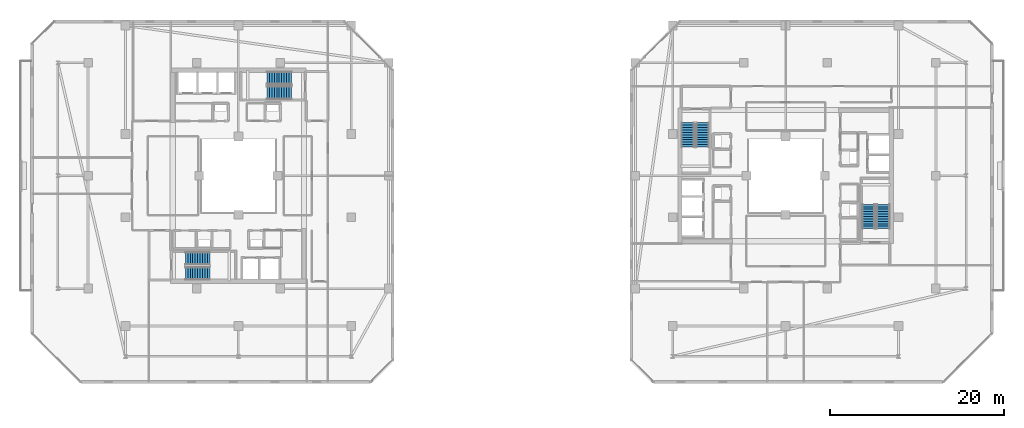
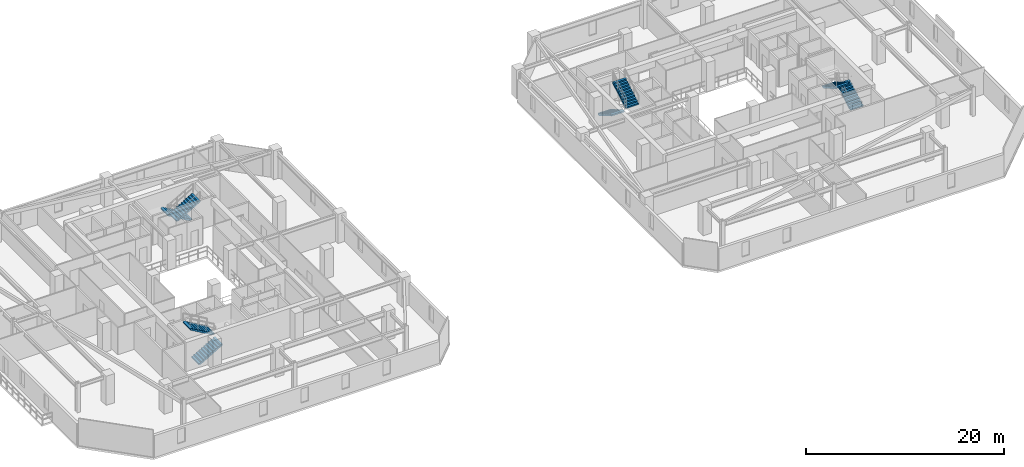
# One storey, part 25 of 31: 8 stair flights, 4 elements without a shape of their own.
"""IFC4 building model written with IfcOpenShell, lengths in metres."""

from ifc_helpers import new_model, si_unit, direction, frame, origin, place, context, subcontext, project, spatial, polyline, outline, extrude, material, type_object, element, aggregate, save


model = new_model("IFC4")

# Units and contexts
model_context = context("Model", 3, precision=1e-05, world=origin(), true_north=direction((0.0, 1.0)))
body_context = subcontext(model_context, "Body", "Model", "MODEL_VIEW")
ifc_project = project(units=[si_unit("LENGTHUNIT", "METRE"), si_unit("AREAUNIT", "SQUARE_METRE"), si_unit("VOLUMEUNIT", "CUBIC_METRE"), si_unit("PLANEANGLEUNIT", "RADIAN"), si_unit("MASSUNIT", "GRAM", prefix="KILO")], contexts=[model_context])

# Site, building, storey
site_placement = place(None, origin())
site = spatial("IfcSite", under=ifc_project, at=site_placement, CompositionType="ELEMENT")
building_placement = place(site_placement, origin())
building = spatial("IfcBuilding", under=site, at=building_placement, Name="Thornwick Lancets Civic Towers", CompositionType="ELEMENT")
storey_placement = place(building_placement, frame((0.0, 0.0, 236.699951171875)))
storey = spatial("IfcBuildingStorey", under=building, at=storey_placement, Name="L63", CompositionType="ELEMENT", Elevation=236.699951171875)

# Stair, stair flights
ifc_material = material(Name="Concrete C40/50", Category="concrete")
stair_type = type_object("IfcStairType", Name="STAIR_DL_3600", PredefinedType="HALF_TURN_STAIR", material=ifc_material)
stair_1_placement = place(storey_placement, origin())
stair_1 = element("IfcStair", 1, at=stair_1_placement, inside=storey, type_object=stair_type, Name="L63 Tower A South Exit Stair ST-A1", PredefinedType="HALF_TURN_STAIR")
stair_flight_type = type_object("IfcStairFlightType", Name="FLIGHT_3600", PredefinedType="STRAIGHT", material=ifc_material)
stair_flight_1_placement = place(storey_placement, frame((19.39990234375, 15.75, 0.0), z_axis=(0.0, 0.0, 1.0), x_axis=(1.0, 0.0, 0.0)))
stair_flight_1 = element("IfcStairFlight", 2, at=stair_flight_1_placement, type_object=stair_flight_type, Name="ST-A1 flight 1", NumberOfRisers=11, NumberOfTreads=10, PredefinedType="STRAIGHT", RiserHeight=0.163636364, TreadLength=0.28, context=body_context, shape_type="SweptSolid", body=[
    extrude(outline(polyline([(0.0, 0.0), (0.0, 0.16357421875), (0.280029296875, 0.16357421875), (0.280029296875, 0.327392578125), (0.56005859375, 0.327392578125), (0.56005859375, 0.490966796875), (0.840087890625, 0.490966796875), (0.840087890625, 0.654541015625), (1.1201171875, 0.654541015625), (1.1201171875, 0.818115234375), (1.39990234375, 0.818115234375), (1.39990234375, 0.98193359375), (1.679931640625, 0.98193359375), (1.679931640625, 1.1455078125), (1.9599609375, 1.1455078125), (1.9599609375, 1.30908203125), (2.239990234375, 1.30908203125), (2.239990234375, 1.47265625), (2.52001953125, 1.47265625), (2.52001953125, 1.636474609375), (2.800048828125, 1.636474609375), (2.800048828125, 1.800048828125), (2.800048828125, 1.462646484375), (0.297119140625, 0.0), (0.0, 0.0)])), frame((0.0, 0.75, 0.0), z_axis=(0.0, -1.0, 0.0), x_axis=(1.0, 0.0, 0.0)), (0.0, 0.0, 1.0), 1.5),
])
stair_flight_2_placement = place(storey_placement, frame((22.199951171875, 17.449951171875, 1.800048828125), z_axis=(0.0, 0.0, 1.0), x_axis=(-1.0, 0.0, 0.0)))
stair_flight_2 = element("IfcStairFlight", 3, at=stair_flight_2_placement, type_object=stair_flight_type, Name="ST-A1 flight 2", NumberOfRisers=11, NumberOfTreads=10, PredefinedType="STRAIGHT", RiserHeight=0.163636364, TreadLength=0.28, context=body_context, shape_type="SweptSolid", body=[
    extrude(outline(polyline([(0.0, 0.0), (0.0, 0.16357421875), (0.280029296875, 0.16357421875), (0.280029296875, 0.327392578125), (0.56005859375, 0.327392578125), (0.56005859375, 0.490966796875), (0.840087890625, 0.490966796875), (0.840087890625, 0.654541015625), (1.1201171875, 0.654541015625), (1.1201171875, 0.818115234375), (1.39990234375, 0.818115234375), (1.39990234375, 0.98193359375), (1.679931640625, 0.98193359375), (1.679931640625, 1.1455078125), (1.9599609375, 1.1455078125), (1.9599609375, 1.30908203125), (2.239990234375, 1.30908203125), (2.239990234375, 1.47265625), (2.52001953125, 1.47265625), (2.52001953125, 1.636474609375), (2.800048828125, 1.636474609375), (2.800048828125, 1.800048828125), (2.800048828125, 1.462646484375), (0.297119140625, 0.0), (0.0, 0.0)])), frame((0.0, 0.75, 0.0), z_axis=(0.0, -1.0, 0.0), x_axis=(1.0, 0.0, 0.0)), (0.0, 0.0, 1.0), 1.5),
])
aggregate(stair_1, [stair_flight_1, stair_flight_2])

stair_2_placement = place(storey_placement, origin())
stair_2 = element("IfcStair", 4, at=stair_2_placement, inside=storey, type_object=stair_type, Name="L63 Tower A North Exit Stair ST-A2", PredefinedType="HALF_TURN_STAIR")
stair_flight_3_placement = place(storey_placement, frame((31.60009765625, 38.25, 0.0), z_axis=(0.0, 0.0, 1.0), x_axis=(-1.0, 0.0, 0.0)))
stair_flight_3 = element("IfcStairFlight", 5, at=stair_flight_3_placement, type_object=stair_flight_type, Name="ST-A2 flight 1", NumberOfRisers=11, NumberOfTreads=10, PredefinedType="STRAIGHT", RiserHeight=0.163636364, TreadLength=0.28, context=body_context, shape_type="SweptSolid", body=[
    extrude(outline(polyline([(0.0, 0.0), (0.0, 0.16357421875), (0.280029296875, 0.16357421875), (0.280029296875, 0.327392578125), (0.56005859375, 0.327392578125), (0.56005859375, 0.490966796875), (0.840087890625, 0.490966796875), (0.840087890625, 0.654541015625), (1.1201171875, 0.654541015625), (1.1201171875, 0.818115234375), (1.39990234375, 0.818115234375), (1.39990234375, 0.98193359375), (1.679931640625, 0.98193359375), (1.679931640625, 1.1455078125), (1.9599609375, 1.1455078125), (1.9599609375, 1.30908203125), (2.239990234375, 1.30908203125), (2.239990234375, 1.47265625), (2.52001953125, 1.47265625), (2.52001953125, 1.636474609375), (2.800048828125, 1.636474609375), (2.800048828125, 1.800048828125), (2.800048828125, 1.462646484375), (0.297119140625, 0.0), (0.0, 0.0)])), frame((0.0, 0.75, 0.0), z_axis=(0.0, -1.0, 0.0), x_axis=(1.0, 0.0, 0.0)), (0.0, 0.0, 1.0), 1.5),
])
stair_flight_4_placement = place(storey_placement, frame((28.800048828125, 36.550048828125, 1.800048828125), z_axis=(0.0, 0.0, 1.0), x_axis=(1.0, 0.0, 0.0)))
stair_flight_4 = element("IfcStairFlight", 6, at=stair_flight_4_placement, type_object=stair_flight_type, Name="ST-A2 flight 2", NumberOfRisers=11, NumberOfTreads=10, PredefinedType="STRAIGHT", RiserHeight=0.163636364, TreadLength=0.28, context=body_context, shape_type="SweptSolid", body=[
    extrude(outline(polyline([(0.0, 0.0), (0.0, 0.16357421875), (0.280029296875, 0.16357421875), (0.280029296875, 0.327392578125), (0.56005859375, 0.327392578125), (0.56005859375, 0.490966796875), (0.840087890625, 0.490966796875), (0.840087890625, 0.654541015625), (1.1201171875, 0.654541015625), (1.1201171875, 0.818115234375), (1.39990234375, 0.818115234375), (1.39990234375, 0.98193359375), (1.679931640625, 0.98193359375), (1.679931640625, 1.1455078125), (1.9599609375, 1.1455078125), (1.9599609375, 1.30908203125), (2.239990234375, 1.30908203125), (2.239990234375, 1.47265625), (2.52001953125, 1.47265625), (2.52001953125, 1.636474609375), (2.800048828125, 1.636474609375), (2.800048828125, 1.800048828125), (2.800048828125, 1.462646484375), (0.297119140625, 0.0), (0.0, 0.0)])), frame((0.0, 0.75, 0.0), z_axis=(0.0, -1.0, 0.0), x_axis=(1.0, 0.0, 0.0)), (0.0, 0.0, 1.0), 1.5),
])
aggregate(stair_2, [stair_flight_3, stair_flight_4])

stair_3_placement = place(storey_placement, origin())
stair_3 = element("IfcStair", 7, at=stair_3_placement, inside=storey, type_object=stair_type, Name="L63 Tower B East Exit Stair ST-B1", PredefinedType="HALF_TURN_STAIR")
stair_flight_5_placement = place(storey_placement, frame((99.75, 20.89990234375, 0.0), z_axis=(0.0, 0.0, 1.0), x_axis=(0.0, 1.0, 0.0)))
stair_flight_5 = element("IfcStairFlight", 8, at=stair_flight_5_placement, type_object=stair_flight_type, Name="ST-B1 flight 1", NumberOfRisers=11, NumberOfTreads=10, PredefinedType="STRAIGHT", RiserHeight=0.163636364, TreadLength=0.28, context=body_context, shape_type="SweptSolid", body=[
    extrude(outline(polyline([(0.0, 0.0), (0.0, 0.16357421875), (0.280029296875, 0.16357421875), (0.280029296875, 0.327392578125), (0.56005859375, 0.327392578125), (0.56005859375, 0.490966796875), (0.840087890625, 0.490966796875), (0.840087890625, 0.654541015625), (1.1201171875, 0.654541015625), (1.1201171875, 0.818115234375), (1.39990234375, 0.818115234375), (1.39990234375, 0.98193359375), (1.679931640625, 0.98193359375), (1.679931640625, 1.1455078125), (1.9599609375, 1.1455078125), (1.9599609375, 1.30908203125), (2.239990234375, 1.30908203125), (2.239990234375, 1.47265625), (2.52001953125, 1.47265625), (2.52001953125, 1.636474609375), (2.800048828125, 1.636474609375), (2.800048828125, 1.800048828125), (2.800048828125, 1.462646484375), (0.297119140625, 0.0), (0.0, 0.0)])), frame((0.0, 0.75, 0.0), z_axis=(0.0, -1.0, 0.0), x_axis=(1.0, 0.0, 0.0)), (0.0, 0.0, 1.0), 1.5),
])
stair_flight_6_placement = place(storey_placement, frame((98.050048828125, 23.699951171875, 1.800048828125), z_axis=(0.0, 0.0, 1.0), x_axis=(0.0, -1.0, 0.0)))
stair_flight_6 = element("IfcStairFlight", 9, at=stair_flight_6_placement, type_object=stair_flight_type, Name="ST-B1 flight 2", NumberOfRisers=11, NumberOfTreads=10, PredefinedType="STRAIGHT", RiserHeight=0.163636364, TreadLength=0.28, context=body_context, shape_type="SweptSolid", body=[
    extrude(outline(polyline([(0.0, 0.0), (0.0, 0.16357421875), (0.280029296875, 0.16357421875), (0.280029296875, 0.327392578125), (0.56005859375, 0.327392578125), (0.56005859375, 0.490966796875), (0.840087890625, 0.490966796875), (0.840087890625, 0.654541015625), (1.1201171875, 0.654541015625), (1.1201171875, 0.818115234375), (1.39990234375, 0.818115234375), (1.39990234375, 0.98193359375), (1.679931640625, 0.98193359375), (1.679931640625, 1.1455078125), (1.9599609375, 1.1455078125), (1.9599609375, 1.30908203125), (2.239990234375, 1.30908203125), (2.239990234375, 1.47265625), (2.52001953125, 1.47265625), (2.52001953125, 1.636474609375), (2.800048828125, 1.636474609375), (2.800048828125, 1.800048828125), (2.800048828125, 1.462646484375), (0.297119140625, 0.0), (0.0, 0.0)])), frame((0.0, 0.75, 0.0), z_axis=(0.0, -1.0, 0.0), x_axis=(1.0, 0.0, 0.0)), (0.0, 0.0, 1.0), 1.5),
])
aggregate(stair_3, [stair_flight_5, stair_flight_6])

stair_4_placement = place(storey_placement, origin())
stair_4 = element("IfcStair", 10, at=stair_4_placement, inside=storey, type_object=stair_type, Name="L63 Tower B West Exit Stair ST-B2", PredefinedType="HALF_TURN_STAIR")
stair_flight_7_placement = place(storey_placement, frame((77.25, 33.10009765625, 0.0), z_axis=(0.0, 0.0, 1.0), x_axis=(0.0, -1.0, 0.0)))
stair_flight_7 = element("IfcStairFlight", 11, at=stair_flight_7_placement, type_object=stair_flight_type, Name="ST-B2 flight 1", NumberOfRisers=11, NumberOfTreads=10, PredefinedType="STRAIGHT", RiserHeight=0.163636364, TreadLength=0.28, context=body_context, shape_type="SweptSolid", body=[
    extrude(outline(polyline([(0.0, 0.0), (0.0, 0.16357421875), (0.280029296875, 0.16357421875), (0.280029296875, 0.327392578125), (0.56005859375, 0.327392578125), (0.56005859375, 0.490966796875), (0.840087890625, 0.490966796875), (0.840087890625, 0.654541015625), (1.1201171875, 0.654541015625), (1.1201171875, 0.818115234375), (1.39990234375, 0.818115234375), (1.39990234375, 0.98193359375), (1.679931640625, 0.98193359375), (1.679931640625, 1.1455078125), (1.9599609375, 1.1455078125), (1.9599609375, 1.30908203125), (2.239990234375, 1.30908203125), (2.239990234375, 1.47265625), (2.52001953125, 1.47265625), (2.52001953125, 1.636474609375), (2.800048828125, 1.636474609375), (2.800048828125, 1.800048828125), (2.800048828125, 1.462646484375), (0.297119140625, 0.0), (0.0, 0.0)])), frame((0.0, 0.75, 0.0), z_axis=(0.0, -1.0, 0.0), x_axis=(1.0, 0.0, 0.0)), (0.0, 0.0, 1.0), 1.5),
])
stair_flight_8_placement = place(storey_placement, frame((78.949951171875, 30.300048828125, 1.800048828125), z_axis=(0.0, 0.0, 1.0), x_axis=(0.0, 1.0, 0.0)))
stair_flight_8 = element("IfcStairFlight", 12, at=stair_flight_8_placement, type_object=stair_flight_type, Name="ST-B2 flight 2", NumberOfRisers=11, NumberOfTreads=10, PredefinedType="STRAIGHT", RiserHeight=0.163636364, TreadLength=0.28, context=body_context, shape_type="SweptSolid", body=[
    extrude(outline(polyline([(0.0, 0.0), (0.0, 0.16357421875), (0.280029296875, 0.16357421875), (0.280029296875, 0.327392578125), (0.56005859375, 0.327392578125), (0.56005859375, 0.490966796875), (0.840087890625, 0.490966796875), (0.840087890625, 0.654541015625), (1.1201171875, 0.654541015625), (1.1201171875, 0.818115234375), (1.39990234375, 0.818115234375), (1.39990234375, 0.98193359375), (1.679931640625, 0.98193359375), (1.679931640625, 1.1455078125), (1.9599609375, 1.1455078125), (1.9599609375, 1.30908203125), (2.239990234375, 1.30908203125), (2.239990234375, 1.47265625), (2.52001953125, 1.47265625), (2.52001953125, 1.636474609375), (2.800048828125, 1.636474609375), (2.800048828125, 1.800048828125), (2.800048828125, 1.462646484375), (0.297119140625, 0.0), (0.0, 0.0)])), frame((0.0, 0.75, 0.0), z_axis=(0.0, -1.0, 0.0), x_axis=(1.0, 0.0, 0.0)), (0.0, 0.0, 1.0), 1.5),
])
aggregate(stair_4, [stair_flight_7, stair_flight_8])

save(model, "model.ifc")
